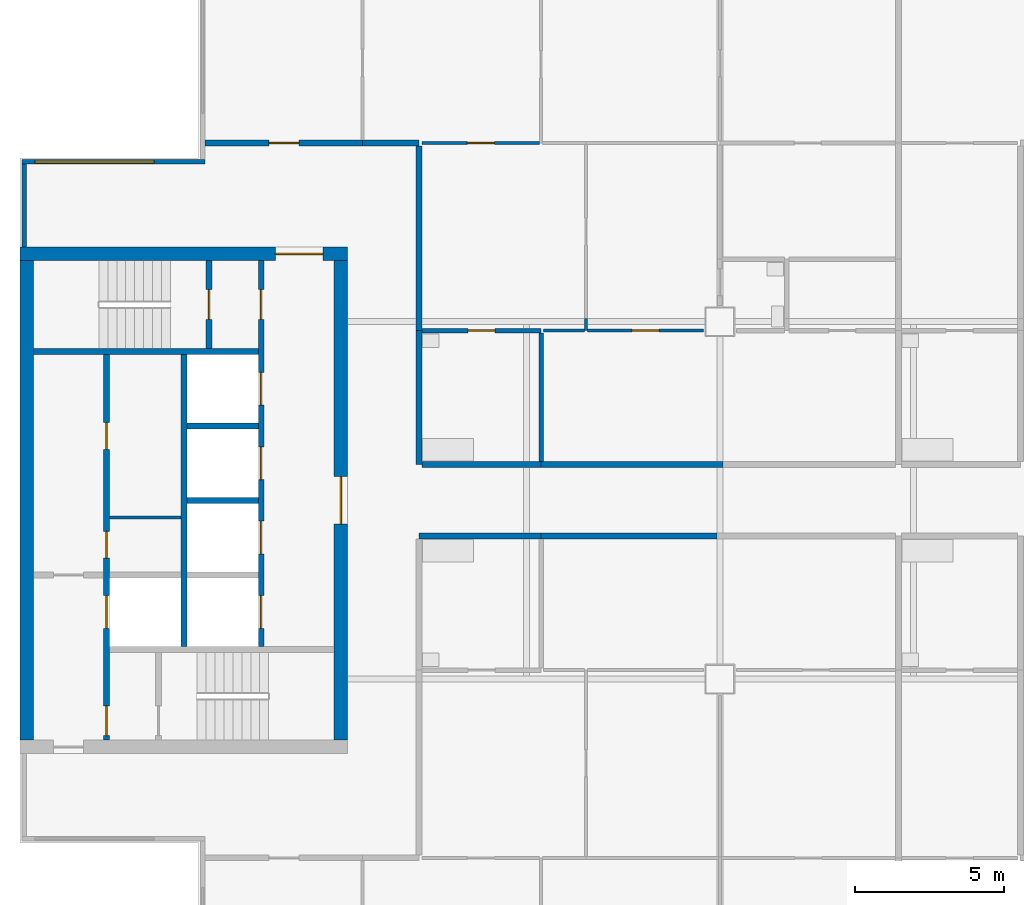
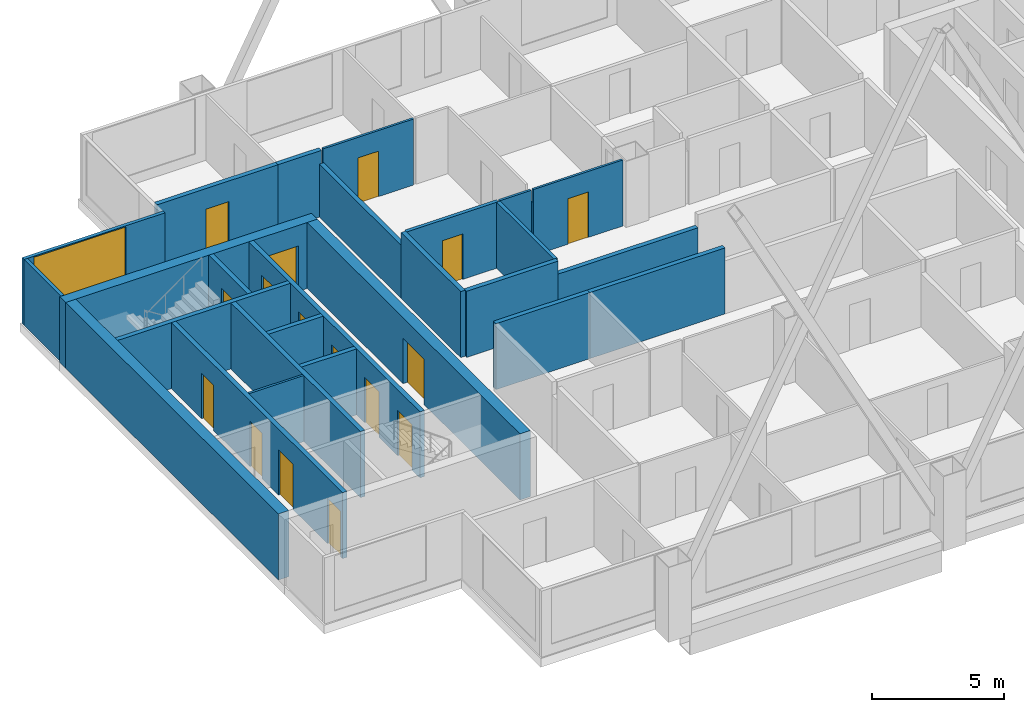
# One storey, part 3 of 8: 27 walls, 16 doors, 1 window, 17 openings.
"""IFC4 building model written with IfcOpenShell, lengths in metres."""

from ifc_helpers import new_model, si_unit, direction, frame, frame_2d, origin, place, context, subcontext, project, spatial, rectangle, extrude, material, layer, layer_set, type_object, element, fill, save


model = new_model("IFC4")

# Units and contexts
model_context = context("Model", 3, precision=1e-05, world=origin(), true_north=direction((0.0, 1.0)))
body_context = subcontext(model_context, "Body", "Model", "MODEL_VIEW")
ifc_project = project(units=[si_unit("LENGTHUNIT", "METRE"), si_unit("AREAUNIT", "SQUARE_METRE"), si_unit("VOLUMEUNIT", "CUBIC_METRE"), si_unit("PLANEANGLEUNIT", "RADIAN"), si_unit("MASSUNIT", "GRAM", prefix="KILO")], contexts=[model_context])

# Site, building, storey
site_placement = place(None, origin())
site = spatial("IfcSite", under=ifc_project, at=site_placement, CompositionType="ELEMENT")
building_placement = place(site_placement, origin())
building = spatial("IfcBuilding", under=site, at=building_placement, Name="Kitamizu Gate Tower and Museum", CompositionType="ELEMENT")
storey_placement = place(building_placement, frame((0.0, 0.0, 259.35009765625)))
storey = spatial("IfcBuildingStorey", under=building, at=storey_placement, Name="L70", CompositionType="ELEMENT", Elevation=259.35009765625)

# Wall, opening, door
ifc_material_1 = material(Name="Concrete Fc42", Category="concrete")
ifc_layer_1 = layer(ifc_material_1, 0.449951171875)
ifc_layer_set_1 = layer_set([ifc_layer_1], Name="Concrete Fc42")
wall_type_1 = type_object("IfcWallType", Name="Core wall 450 EI 90", PredefinedType="SHEAR", material=ifc_layer_set_1)
wall_1_placement = place(storey_placement, frame((12.5, 38.27490234375, 0.0), z_axis=(0.0, 0.0, 1.0), x_axis=(1.0, 0.0, 0.0)))
wall_1 = element("IfcWall", 1, at=wall_1_placement, inside=storey, type_object=wall_type_1, Name="Core wall WN", PredefinedType="SHEAR", context=body_context, shape_type="SweptSolid", body=[
    extrude(rectangle(XDim=11.0, YDim=0.449951171875, at=frame_2d((5.5, 0.0))), origin(), (0.0, 0.0, 1.0), 3.0498046875),
])
opening_1_placement = place(wall_1_placement, frame((8.574951171875, 0.0, 0.0)))
opening_1 = element("IfcOpeningElement", 2, at=opening_1_placement, cuts=wall_1, Name="Opening L70-035", PredefinedType="OPENING", context=body_context, shape_type="SweptSolid", body=[
    extrude(rectangle(XDim=1.60009765625, YDim=2.10009765625, at=frame_2d((0.800048828125, 1.050048828125))), frame((0.0, 0.23486328125, 0.0), z_axis=(0.0, -1.0, 0.0), x_axis=(1.0, 0.0, 0.0)), (0.0, 0.0, 1.0), 0.469970703125),
])
ifc_material_2 = material(Name="Timber door set", Category="wood")
door_type_1 = type_object("IfcDoorType", Name="Entrance door 1600", OperationType="DOUBLE_DOOR_SINGLE_SWING", PredefinedType="DOOR", material=ifc_material_2)
door_1_placement = place(opening_1_placement, origin())
door_1 = element("IfcDoor", 3, at=door_1_placement, inside=storey, type_object=door_type_1, Name="Lobby door L70-035", OperationType="DOUBLE_DOOR_SINGLE_SWING", OverallHeight=2.10009765625, OverallWidth=1.60009765625, PredefinedType="DOOR", context=body_context, shape_type="SweptSolid", body=[
    extrude(rectangle(XDim=1.60009765625, YDim=2.10009765625, at=frame_2d((0.800048828125, 1.050048828125))), frame((0.0, 0.02490234375, 0.0), z_axis=(0.0, -1.0, 0.0), x_axis=(1.0, 0.0, 0.0)), (0.0, 0.0, 1.0), 0.050048828125),
])
fill(opening_1, door_1)

# Wall
wall_2_placement = place(storey_placement, frame((12.72509765625, 21.949951171875, 0.0), z_axis=(0.0, 0.0, 1.0), x_axis=(0.0, 1.0, 0.0)))
element("IfcWall", 4, at=wall_2_placement, inside=storey, type_object=wall_type_1, Name="Core wall WOUT", PredefinedType="SHEAR", context=body_context, shape_type="SweptSolid", body=[
    extrude(rectangle(XDim=16.10009765625, YDim=0.449951171875, at=frame_2d((8.050048828125, 0.0))), origin(), (0.0, 0.0, 1.0), 3.0498046875),
])

# Wall, opening, door
wall_3_placement = place(storey_placement, frame((23.27490234375, 21.949951171875, 0.0), z_axis=(0.0, 0.0, 1.0), x_axis=(0.0, 1.0, 0.0)))
wall_3 = element("IfcWall", 5, at=wall_3_placement, inside=storey, type_object=wall_type_1, Name="Core wall WARC", PredefinedType="SHEAR", context=body_context, shape_type="SweptSolid", body=[
    extrude(rectangle(XDim=16.10009765625, YDim=0.449951171875, at=frame_2d((8.050048828125, 0.0))), origin(), (0.0, 0.0, 1.0), 3.0498046875),
])
opening_2_placement = place(wall_3_placement, frame((7.25, 0.0, 0.0)))
opening_2 = element("IfcOpeningElement", 6, at=opening_2_placement, cuts=wall_3, Name="Opening L70-036", PredefinedType="OPENING", context=body_context, shape_type="SweptSolid", body=[
    extrude(rectangle(XDim=1.60009765625, YDim=2.10009765625, at=frame_2d((0.800048828125, 1.050048828125))), frame((0.0, 0.23486328125, 0.0), z_axis=(0.0, -1.0, 0.0), x_axis=(1.0, 0.0, 0.0)), (0.0, 0.0, 1.0), 0.469970703125),
])
door_2_placement = place(opening_2_placement, origin())
door_2 = element("IfcDoor", 7, at=door_2_placement, inside=storey, type_object=door_type_1, Name="Lobby door L70-036", OperationType="DOUBLE_DOOR_SINGLE_SWING", OverallHeight=2.10009765625, OverallWidth=1.60009765625, PredefinedType="DOOR", context=body_context, shape_type="SweptSolid", body=[
    extrude(rectangle(XDim=1.60009765625, YDim=2.10009765625, at=frame_2d((0.800048828125, 1.050048828125))), frame((0.0, 0.02490234375, 0.0), z_axis=(0.0, -1.0, 0.0), x_axis=(1.0, 0.0, 0.0)), (0.0, 0.0, 1.0), 0.050048828125),
])
fill(opening_2, door_2)

# Wall
ifc_material_3 = material(Name="Gypsum board on galvanised stud")
ifc_layer_2 = layer(ifc_material_3, 0.10009765625)
ifc_layer_set_2 = layer_set([ifc_layer_2], Name="Gypsum board on galvanised stud")
wall_type_2 = type_object("IfcWallType", Name="Partition 100", PredefinedType="PARTITIONING", material=ifc_layer_set_2)
wall_4_placement = place(storey_placement, frame((15.5, 29.425048828125, 0.0), z_axis=(0.0, 0.0, 1.0), x_axis=(1.0, 0.0, 0.0)))
element("IfcWall", 8, at=wall_4_placement, inside=storey, type_object=wall_type_2, Name="Partition WPF1", PredefinedType="PARTITIONING", context=body_context, shape_type="SweptSolid", body=[
    extrude(rectangle(XDim=2.39990234375, YDim=0.10009765625, at=frame_2d((1.199951171875, 0.0))), origin(), (0.0, 0.0, 1.0), 3.0498046875),
])

# Wall, opening, door
ifc_material_4 = material(Name="Gypsum board on galvanised stud")
ifc_layer_3 = layer(ifc_material_4, 0.10009765625)
ifc_layer_set_3 = layer_set([ifc_layer_3], Name="Gypsum board on galvanised stud")
wall_type_3 = type_object("IfcWallType", Name="Partition 100 NOT RATED", PredefinedType="PARTITIONING", material=ifc_layer_set_3)
wall_5_placement = place(storey_placement, frame((26.0, 42.0, 0.0), z_axis=(0.0, 0.0, 1.0), x_axis=(1.0, 0.0, 0.0)))
wall_5 = element("IfcWall", 9, at=wall_5_placement, inside=storey, type_object=wall_type_3, Name="Partition L70-029", PredefinedType="PARTITIONING", context=body_context, shape_type="SweptSolid", body=[
    extrude(rectangle(XDim=3.949951171875, YDim=0.10009765625, at=frame_2d((1.97509765625, 0.0))), origin(), (0.0, 0.0, 1.0), 3.0498046875),
])
opening_3_placement = place(wall_5_placement, frame((1.52490234375, 0.0, 0.0)))
opening_3 = element("IfcOpeningElement", 10, at=opening_3_placement, cuts=wall_5, Name="Opening L70-014", PredefinedType="OPENING", context=body_context, shape_type="SweptSolid", body=[
    extrude(rectangle(XDim=0.89990234375, YDim=2.10009765625, at=frame_2d((0.449951171875, 1.050048828125))), frame((0.0, 0.06005859375, 0.0), z_axis=(0.0, -1.0, 0.0), x_axis=(1.0, 0.0, 0.0)), (0.0, 0.0, 1.0), 0.1201171875),
])
ifc_material_5 = material(Name="Timber door set", Category="wood")
door_type_2 = type_object("IfcDoorType", Name="Room door 900", OperationType="NOTDEFINED", PredefinedType="DOOR", material=ifc_material_5)
door_3_placement = place(opening_3_placement, origin())
door_3 = element("IfcDoor", 11, at=door_3_placement, inside=storey, type_object=door_type_2, Name="Door L70-014", OperationType="SINGLE_SWING_LEFT", OverallHeight=2.10009765625, OverallWidth=0.89990234375, PredefinedType="DOOR", context=body_context, shape_type="SweptSolid", body=[
    extrude(rectangle(XDim=0.89990234375, YDim=2.10009765625, at=frame_2d((0.449951171875, 1.050048828125))), frame((0.0, 0.02490234375, 0.0), z_axis=(0.0, -1.0, 0.0), x_axis=(1.0, 0.0, 0.0)), (0.0, 0.0, 1.0), 0.050048828125),
])
fill(opening_3, door_3)

# Walls
wall_6_placement = place(storey_placement, frame((31.5, 35.699951171875, 0.0), z_axis=(0.0, 0.0, 1.0), x_axis=(0.0, 1.0, 0.0)))
element("IfcWall", 12, at=wall_6_placement, inside=storey, type_object=wall_type_3, Name="Partition L70-036", PredefinedType="PARTITIONING", context=body_context, shape_type="SweptSolid", body=[
    extrude(rectangle(XDim=0.400146484375, YDim=0.10009765625, at=frame_2d((0.2001953125, 0.0))), origin(), (0.0, 0.0, 1.0), 2.449951171875),
])
wall_7_placement = place(storey_placement, frame((30.074951171875, 35.699951171875, 0.0), z_axis=(0.0, 0.0, 1.0), x_axis=(1.0, 0.0, 0.0)))
element("IfcWall", 13, at=wall_7_placement, inside=storey, type_object=wall_type_3, Name="Partition L70-039", PredefinedType="PARTITIONING", context=body_context, shape_type="SweptSolid", body=[
    extrude(rectangle(XDim=1.375, YDim=0.10009765625, at=frame_2d((0.6875, 0.0))), origin(), (0.0, 0.0, 1.0), 3.0498046875),
])

# Wall, opening, door
wall_8_placement = place(storey_placement, frame((31.550048828125, 35.699951171875, 0.0), z_axis=(0.0, 0.0, 1.0), x_axis=(1.0, 0.0, 0.0)))
wall_8 = element("IfcWall", 14, at=wall_8_placement, inside=storey, type_object=wall_type_3, Name="Partition L70-043", PredefinedType="PARTITIONING", context=body_context, shape_type="SweptSolid", body=[
    extrude(rectangle(XDim=3.89990234375, YDim=0.10009765625, at=frame_2d((1.949951171875, 0.0))), origin(), (0.0, 0.0, 1.0), 3.0498046875),
])
opening_4_placement = place(wall_8_placement, frame((1.5, 0.0, 0.0)))
opening_4 = element("IfcOpeningElement", 15, at=opening_4_placement, cuts=wall_8, Name="Opening L70-019", PredefinedType="OPENING", context=body_context, shape_type="SweptSolid", body=[
    extrude(rectangle(XDim=0.89990234375, YDim=2.10009765625, at=frame_2d((0.449951171875, 1.050048828125))), frame((0.0, 0.06005859375, 0.0), z_axis=(0.0, -1.0, 0.0), x_axis=(1.0, 0.0, 0.0)), (0.0, 0.0, 1.0), 0.1201171875),
])
door_4_placement = place(opening_4_placement, origin())
door_4 = element("IfcDoor", 16, at=door_4_placement, inside=storey, type_object=door_type_2, Name="Door L70-019", OperationType="SINGLE_SWING_RIGHT", OverallHeight=2.10009765625, OverallWidth=0.89990234375, PredefinedType="DOOR", context=body_context, shape_type="SweptSolid", body=[
    extrude(rectangle(XDim=0.89990234375, YDim=2.10009765625, at=frame_2d((0.449951171875, 1.050048828125))), frame((0.0, 0.02490234375, 0.0), z_axis=(0.0, -1.0, 0.0), x_axis=(1.0, 0.0, 0.0)), (0.0, 0.0, 1.0), 0.050048828125),
])
fill(opening_4, door_4)

ifc_material_6 = material(Name="Gypsum board on galvanised stud")
ifc_layer_4 = layer(ifc_material_6, 0.14990234375)
ifc_layer_set_4 = layer_set([ifc_layer_4], Name="Gypsum board on galvanised stud")
wall_type_4 = type_object("IfcWallType", Name="Partition 150", PredefinedType="PARTITIONING", material=ifc_layer_set_4)
wall_9_placement = place(storey_placement, frame((26.0, 35.699951171875, 0.0), z_axis=(0.0, 0.0, 1.0), x_axis=(1.0, 0.0, 0.0)))
wall_9 = element("IfcWall", 17, at=wall_9_placement, inside=storey, type_object=wall_type_4, Name="Partition L70-038", PredefinedType="PARTITIONING", context=body_context, shape_type="SweptSolid", body=[
    extrude(rectangle(XDim=4.0, YDim=0.14990234375, at=frame_2d((2.0, 0.0))), origin(), (0.0, 0.0, 1.0), 3.0498046875),
])
opening_5_placement = place(wall_9_placement, frame((1.550048828125, 0.0, 0.0)))
opening_5 = element("IfcOpeningElement", 18, at=opening_5_placement, cuts=wall_9, Name="Opening L70-018", PredefinedType="OPENING", context=body_context, shape_type="SweptSolid", body=[
    extrude(rectangle(XDim=0.89990234375, YDim=2.10009765625, at=frame_2d((0.449951171875, 1.050048828125))), frame((0.0, 0.0849609375, 0.0), z_axis=(0.0, -1.0, 0.0), x_axis=(1.0, 0.0, 0.0)), (0.0, 0.0, 1.0), 0.169921875),
])
ifc_material_7 = material(Name="Timber door set", Category="wood")
door_type_3 = type_object("IfcDoorType", Name="Bathroom door 900", OperationType="NOTDEFINED", PredefinedType="DOOR", material=ifc_material_7)
door_5_placement = place(opening_5_placement, frame((0.89990234375, 0.0, 0.0), x_axis=(-1.0, 0.0, 0.0)))
door_5 = element("IfcDoor", 19, at=door_5_placement, inside=storey, type_object=door_type_3, Name="Bathroom door L70-018", OperationType="SINGLE_SWING_RIGHT", OverallHeight=2.10009765625, OverallWidth=0.89990234375, PredefinedType="DOOR", context=body_context, shape_type="SweptSolid", body=[
    extrude(rectangle(XDim=0.89990234375, YDim=2.10009765625, at=frame_2d((0.449951171875, 1.050048828125))), frame((0.0, 0.02490234375, 0.0), z_axis=(0.0, -1.0, 0.0), x_axis=(1.0, 0.0, 0.0)), (0.0, 0.0, 1.0), 0.050048828125),
])
fill(opening_5, door_5)

# Walls
wall_10_placement = place(storey_placement, frame((30.0, 31.300048828125, 0.0), z_axis=(0.0, 0.0, 1.0), x_axis=(0.0, 1.0, 0.0)))
element("IfcWall", 20, at=wall_10_placement, inside=storey, type_object=wall_type_4, Name="Partition L70-053", PredefinedType="PARTITIONING", context=body_context, shape_type="SweptSolid", body=[
    extrude(rectangle(XDim=4.324951171875, YDim=0.14990234375, at=frame_2d((2.16259765625, 0.0))), origin(), (0.0, 0.0, 1.0), 3.0498046875),
])
ifc_material_8 = material(Name="Gypsum board on galvanised stud")
ifc_layer_5 = layer(ifc_material_8, 0.199951171875)
ifc_layer_set_5 = layer_set([ifc_layer_5], Name="Gypsum board on galvanised stud")
wall_type_5 = type_object("IfcWallType", Name="Partition 200", PredefinedType="PARTITIONING", material=ifc_layer_set_5)
wall_11_placement = place(storey_placement, frame((30.0, 28.800048828125, 0.0), z_axis=(0.0, 0.0, 1.0), x_axis=(-1.0, 0.0, 0.0)))
element("IfcWall", 21, at=wall_11_placement, inside=storey, type_object=wall_type_5, Name="Partition L70-021", PredefinedType="PARTITIONING", context=body_context, shape_type="SweptSolid", body=[
    extrude(rectangle(XDim=4.10009765625, YDim=0.199951171875, at=frame_2d((2.050048828125, 0.0))), origin(), (0.0, 0.0, 1.0), 3.0498046875),
])
wall_12_placement = place(storey_placement, frame((35.89990234375, 28.800048828125, 0.0), z_axis=(0.0, 0.0, 1.0), x_axis=(-1.0, 0.0, 0.0)))
element("IfcWall", 22, at=wall_12_placement, inside=storey, type_object=wall_type_5, Name="Partition L70-025", PredefinedType="PARTITIONING", context=body_context, shape_type="SweptSolid", body=[
    extrude(rectangle(XDim=5.89990234375, YDim=0.199951171875, at=frame_2d((2.949951171875, 0.0))), origin(), (0.0, 0.0, 1.0), 3.0498046875),
])

# Wall, opening, door
wall_13_placement = place(storey_placement, frame((18.719970703125, 42.0, 0.0), z_axis=(0.0, 0.0, 1.0), x_axis=(1.0, 0.0, 0.0)))
wall_13 = element("IfcWall", 23, at=wall_13_placement, inside=storey, type_object=wall_type_5, Name="Partition L70-027", PredefinedType="PARTITIONING", context=body_context, shape_type="SweptSolid", body=[
    extrude(rectangle(XDim=5.280029296875, YDim=0.199951171875, at=frame_2d((2.64013671875, 0.0))), origin(), (0.0, 0.0, 1.0), 3.0498046875),
])
opening_6_placement = place(wall_13_placement, frame((2.139892578125, 0.0, 0.0)))
opening_6 = element("IfcOpeningElement", 24, at=opening_6_placement, cuts=wall_13, Name="Opening L70-010", PredefinedType="OPENING", context=body_context, shape_type="SweptSolid", body=[
    extrude(rectangle(XDim=1.0, YDim=2.10009765625, at=frame_2d((0.5, 1.050048828125))), frame((0.0, 0.10986328125, 0.0), z_axis=(0.0, -1.0, 0.0), x_axis=(1.0, 0.0, 0.0)), (0.0, 0.0, 1.0), 0.219970703125),
])
ifc_material_9 = material(Name="Timber door set", Category="wood")
door_type_4 = type_object("IfcDoorType", Name="Flat entrance door 1000", OperationType="NOTDEFINED", PredefinedType="DOOR", material=ifc_material_9)
door_6_placement = place(opening_6_placement, origin())
door_6 = element("IfcDoor", 25, at=door_6_placement, inside=storey, type_object=door_type_4, Name="Flat entrance door L70-010", OperationType="SINGLE_SWING_LEFT", OverallHeight=2.10009765625, OverallWidth=1.0, PredefinedType="DOOR", context=body_context, shape_type="SweptSolid", body=[
    extrude(rectangle(XDim=1.0, YDim=2.10009765625, at=frame_2d((0.5, 1.050048828125))), frame((0.0, 0.02490234375, 0.0), z_axis=(0.0, -1.0, 0.0), x_axis=(1.0, 0.0, 0.0)), (0.0, 0.0, 1.0), 0.050048828125),
])
fill(opening_6, door_6)

# Walls
wall_14_placement = place(storey_placement, frame((24.0, 42.0, 0.0), z_axis=(0.0, 0.0, 1.0), x_axis=(1.0, 0.0, 0.0)))
element("IfcWall", 26, at=wall_14_placement, inside=storey, type_object=wall_type_5, Name="Partition L70-030", PredefinedType="PARTITIONING", context=body_context, shape_type="SweptSolid", body=[
    extrude(rectangle(XDim=1.89990234375, YDim=0.199951171875, at=frame_2d((0.949951171875, 0.0))), origin(), (0.0, 0.0, 1.0), 3.0498046875),
])
wall_15_placement = place(storey_placement, frame((25.89990234375, 41.89990234375, 0.0), z_axis=(0.0, 0.0, 1.0), x_axis=(0.0, -1.0, 0.0)))
element("IfcWall", 27, at=wall_15_placement, inside=storey, type_object=wall_type_5, Name="Partition L70-040", PredefinedType="PARTITIONING", context=body_context, shape_type="SweptSolid", body=[
    extrude(rectangle(XDim=6.199951171875, YDim=0.199951171875, at=frame_2d((3.10009765625, 0.0))), origin(), (0.0, 0.0, 1.0), 2.449951171875),
])
wall_16_placement = place(storey_placement, frame((25.89990234375, 35.699951171875, 0.0), z_axis=(0.0, 0.0, 1.0), x_axis=(0.0, -1.0, 0.0)))
element("IfcWall", 28, at=wall_16_placement, inside=storey, type_object=wall_type_5, Name="Partition L70-054", PredefinedType="PARTITIONING", context=body_context, shape_type="SweptSolid", body=[
    extrude(rectangle(XDim=4.5, YDim=0.199951171875, at=frame_2d((2.25, 0.0))), origin(), (0.0, 0.0, 1.0), 3.0498046875),
])
wall_17_placement = place(storey_placement, frame((26.0, 31.199951171875, 0.0), z_axis=(0.0, 0.0, 1.0), x_axis=(1.0, 0.0, 0.0)))
element("IfcWall", 29, at=wall_17_placement, inside=storey, type_object=wall_type_5, Name="Partition L70-055", PredefinedType="PARTITIONING", context=body_context, shape_type="SweptSolid", body=[
    extrude(rectangle(XDim=4.0, YDim=0.199951171875, at=frame_2d((2.0, 0.0))), origin(), (0.0, 0.0, 1.0), 3.0498046875),
])
wall_18_placement = place(storey_placement, frame((30.0, 31.199951171875, 0.0), z_axis=(0.0, 0.0, 1.0), x_axis=(1.0, 0.0, 0.0)))
element("IfcWall", 30, at=wall_18_placement, inside=storey, type_object=wall_type_5, Name="Partition L70-057", PredefinedType="PARTITIONING", context=body_context, shape_type="SweptSolid", body=[
    extrude(rectangle(XDim=6.10009765625, YDim=0.199951171875, at=frame_2d((3.050048828125, 0.0))), origin(), (0.0, 0.0, 1.0), 2.449951171875),
])

# Wall, openings, doors
ifc_material_10 = material(Name="Concrete Fc42", Category="concrete")
ifc_layer_6 = layer(ifc_material_10, 0.199951171875)
ifc_layer_set_6 = layer_set([ifc_layer_6], Name="Concrete Fc42")
wall_type_6 = type_object("IfcWallType", Name="Shaft wall 200", PredefinedType="SOLIDWALL", material=ifc_layer_set_6)
wall_19_placement = place(storey_placement, frame((15.39990234375, 21.949951171875, 0.0), z_axis=(0.0, 0.0, 1.0), x_axis=(0.0, 1.0, 0.0)))
wall_19 = element("IfcWall", 31, at=wall_19_placement, inside=storey, type_object=wall_type_6, Name="Shaft wall WWEST", PredefinedType="SOLIDWALL", context=body_context, shape_type="SweptSolid", body=[
    extrude(rectangle(XDim=12.949951171875, YDim=0.199951171875, at=frame_2d((6.47509765625, 0.0))), origin(), (0.0, 0.0, 1.0), 3.0498046875),
])
opening_7_placement = place(wall_19_placement, frame((3.75, 0.0, 0.0)))
opening_7 = element("IfcOpeningElement", 32, at=opening_7_placement, cuts=wall_19, Name="Opening LD", PredefinedType="OPENING", context=body_context, shape_type="SweptSolid", body=[
    extrude(rectangle(XDim=1.10009765625, YDim=2.10009765625, at=frame_2d((0.550048828125, 1.050048828125))), frame((0.0, 0.10986328125, 0.0), z_axis=(0.0, -1.0, 0.0), x_axis=(1.0, 0.0, 0.0)), (0.0, 0.0, 1.0), 0.219970703125),
])
opening_8_placement = place(wall_19_placement, frame((0.14990234375, 0.0, 0.0)))
opening_8 = element("IfcOpeningElement", 33, at=opening_8_placement, cuts=wall_19, Name="Opening L70-030", PredefinedType="OPENING", context=body_context, shape_type="SweptSolid", body=[
    extrude(rectangle(XDim=1.0, YDim=2.10009765625, at=frame_2d((0.5, 1.050048828125))), frame((0.0, 0.10986328125, 0.0), z_axis=(0.0, -1.0, 0.0), x_axis=(1.0, 0.0, 0.0)), (0.0, 0.0, 1.0), 0.219970703125),
])
opening_9_placement = place(wall_19_placement, frame((6.112548828125, 0.0, 0.0)))
opening_9 = element("IfcOpeningElement", 34, at=opening_9_placement, cuts=wall_19, Name="Opening L70-037", PredefinedType="OPENING", context=body_context, shape_type="SweptSolid", body=[
    extrude(rectangle(XDim=0.89990234375, YDim=2.10009765625, at=frame_2d((0.449951171875, 1.050048828125))), frame((0.0, 0.10986328125, 0.0), z_axis=(0.0, -1.0, 0.0), x_axis=(1.0, 0.0, 0.0)), (0.0, 0.0, 1.0), 0.219970703125),
])
opening_10_placement = place(wall_19_placement, frame((9.762451171875, 0.0, 0.0)))
opening_10 = element("IfcOpeningElement", 35, at=opening_10_placement, cuts=wall_19, Name="Opening L70-038", PredefinedType="OPENING", context=body_context, shape_type="SweptSolid", body=[
    extrude(rectangle(XDim=0.89990234375, YDim=2.10009765625, at=frame_2d((0.449951171875, 1.050048828125))), frame((0.0, 0.10986328125, 0.0), z_axis=(0.0, -1.0, 0.0), x_axis=(1.0, 0.0, 0.0)), (0.0, 0.0, 1.0), 0.219970703125),
])
ifc_material_11 = material(Name="Hollow metal door set")
door_type_5 = type_object("IfcDoorType", Name="Fire door 1000", OperationType="NOTDEFINED", PredefinedType="DOOR", material=ifc_material_11)
door_7_placement = place(opening_8_placement, frame((1.0, 0.0, 0.0), x_axis=(-1.0, 0.0, 0.0)))
door_7 = element("IfcDoor", 36, at=door_7_placement, inside=storey, type_object=door_type_5, Name="Stair lobby door L70-030", OperationType="SINGLE_SWING_LEFT", OverallHeight=2.10009765625, OverallWidth=1.0, PredefinedType="DOOR", context=body_context, shape_type="SweptSolid", body=[
    extrude(rectangle(XDim=1.0, YDim=2.10009765625, at=frame_2d((0.5, 1.050048828125))), frame((0.0, 0.02490234375, 0.0), z_axis=(0.0, -1.0, 0.0), x_axis=(1.0, 0.0, 0.0)), (0.0, 0.0, 1.0), 0.050048828125),
])
fill(opening_8, door_7)
ifc_material_12 = material(Name="Hollow metal door set")
door_type_6 = type_object("IfcDoorType", Name="Landing door 1100", OperationType="SLIDING_TO_LEFT", PredefinedType="DOOR", material=ifc_material_12)
door_8_placement = place(opening_7_placement, origin())
door_8 = element("IfcDoor", 37, at=door_8_placement, inside=storey, type_object=door_type_6, Name="Landing door WFF1", OperationType="SLIDING_TO_LEFT", OverallHeight=2.10009765625, OverallWidth=1.10009765625, PredefinedType="DOOR", context=body_context, shape_type="SweptSolid", body=[
    extrude(rectangle(XDim=1.10009765625, YDim=2.10009765625, at=frame_2d((0.550048828125, 1.050048828125))), frame((0.0, 0.02490234375, 0.0), z_axis=(0.0, -1.0, 0.0), x_axis=(1.0, 0.0, 0.0)), (0.0, 0.0, 1.0), 0.050048828125),
])
fill(opening_7, door_8)
ifc_material_13 = material(Name="Timber door set", Category="wood")
door_type_7 = type_object("IfcDoorType", Name="Service door 900", OperationType="NOTDEFINED", PredefinedType="DOOR", material=ifc_material_13)
door_9_placement = place(opening_9_placement, frame((0.89990234375, 0.0, 0.0), x_axis=(-1.0, 0.0, 0.0)))
door_9 = element("IfcDoor", 38, at=door_9_placement, inside=storey, type_object=door_type_7, Name="Service door L70-037", OperationType="SINGLE_SWING_LEFT", OverallHeight=2.10009765625, OverallWidth=0.89990234375, PredefinedType="DOOR", context=body_context, shape_type="SweptSolid", body=[
    extrude(rectangle(XDim=0.89990234375, YDim=2.10009765625, at=frame_2d((0.449951171875, 1.050048828125))), frame((0.0, 0.02490234375, 0.0), z_axis=(0.0, -1.0, 0.0), x_axis=(1.0, 0.0, 0.0)), (0.0, 0.0, 1.0), 0.050048828125),
])
fill(opening_9, door_9)
door_10_placement = place(opening_10_placement, frame((0.89990234375, 0.0, 0.0), x_axis=(-1.0, 0.0, 0.0)))
door_10 = element("IfcDoor", 39, at=door_10_placement, inside=storey, type_object=door_type_7, Name="Service door L70-038", OperationType="SINGLE_SWING_RIGHT", OverallHeight=2.10009765625, OverallWidth=0.89990234375, PredefinedType="DOOR", context=body_context, shape_type="SweptSolid", body=[
    extrude(rectangle(XDim=0.89990234375, YDim=2.10009765625, at=frame_2d((0.449951171875, 1.050048828125))), frame((0.0, 0.02490234375, 0.0), z_axis=(0.0, -1.0, 0.0), x_axis=(1.0, 0.0, 0.0)), (0.0, 0.0, 1.0), 0.050048828125),
])
fill(opening_10, door_10)

wall_20_placement = place(storey_placement, frame((20.60009765625, 25.10009765625, 0.0), z_axis=(0.0, 0.0, 1.0), x_axis=(0.0, 1.0, 0.0)))
wall_20 = element("IfcWall", 40, at=wall_20_placement, inside=storey, type_object=wall_type_6, Name="Shaft wall WEAST", PredefinedType="SOLIDWALL", context=body_context, shape_type="SweptSolid", body=[
    extrude(rectangle(XDim=12.949951171875, YDim=0.199951171875, at=frame_2d((6.47509765625, 0.0))), origin(), (0.0, 0.0, 1.0), 3.0498046875),
])
opening_11_placement = place(wall_20_placement, frame((0.60009765625, 0.0, 0.0)))
opening_11 = element("IfcOpeningElement", 41, at=opening_11_placement, cuts=wall_20, Name="Opening LD", PredefinedType="OPENING", context=body_context, shape_type="SweptSolid", body=[
    extrude(rectangle(XDim=1.10009765625, YDim=2.10009765625, at=frame_2d((0.550048828125, 1.050048828125))), frame((0.0, 0.10986328125, 0.0), z_axis=(0.0, -1.0, 0.0), x_axis=(1.0, 0.0, 0.0)), (0.0, 0.0, 1.0), 0.219970703125),
])
opening_12_placement = place(wall_20_placement, frame((3.10009765625, 0.0, 0.0)))
opening_12 = element("IfcOpeningElement", 42, at=opening_12_placement, cuts=wall_20, Name="Opening LD", PredefinedType="OPENING", context=body_context, shape_type="SweptSolid", body=[
    extrude(rectangle(XDim=1.10009765625, YDim=2.10009765625, at=frame_2d((0.550048828125, 1.050048828125))), frame((0.0, 0.10986328125, 0.0), z_axis=(0.0, -1.0, 0.0), x_axis=(1.0, 0.0, 0.0)), (0.0, 0.0, 1.0), 0.219970703125),
])
opening_13_placement = place(wall_20_placement, frame((5.60009765625, 0.0, 0.0)))
opening_13 = element("IfcOpeningElement", 43, at=opening_13_placement, cuts=wall_20, Name="Opening LD", PredefinedType="OPENING", context=body_context, shape_type="SweptSolid", body=[
    extrude(rectangle(XDim=1.10009765625, YDim=2.10009765625, at=frame_2d((0.550048828125, 1.050048828125))), frame((0.0, 0.10986328125, 0.0), z_axis=(0.0, -1.0, 0.0), x_axis=(1.0, 0.0, 0.0)), (0.0, 0.0, 1.0), 0.219970703125),
])
opening_14_placement = place(wall_20_placement, frame((8.10009765625, 0.0, 0.0)))
opening_14 = element("IfcOpeningElement", 44, at=opening_14_placement, cuts=wall_20, Name="Opening LD", PredefinedType="OPENING", context=body_context, shape_type="SweptSolid", body=[
    extrude(rectangle(XDim=1.10009765625, YDim=2.10009765625, at=frame_2d((0.550048828125, 1.050048828125))), frame((0.0, 0.10986328125, 0.0), z_axis=(0.0, -1.0, 0.0), x_axis=(1.0, 0.0, 0.0)), (0.0, 0.0, 1.0), 0.219970703125),
])
opening_15_placement = place(wall_20_placement, frame((10.97509765625, 0.0, 0.0)))
opening_15 = element("IfcOpeningElement", 45, at=opening_15_placement, cuts=wall_20, Name="Opening L70-031", PredefinedType="OPENING", context=body_context, shape_type="SweptSolid", body=[
    extrude(rectangle(XDim=1.0, YDim=2.10009765625, at=frame_2d((0.5, 1.050048828125))), frame((0.0, 0.10986328125, 0.0), z_axis=(0.0, -1.0, 0.0), x_axis=(1.0, 0.0, 0.0)), (0.0, 0.0, 1.0), 0.219970703125),
])
door_11_placement = place(opening_15_placement, origin())
door_11 = element("IfcDoor", 46, at=door_11_placement, inside=storey, type_object=door_type_5, Name="Stair lobby door L70-031", OperationType="SINGLE_SWING_RIGHT", OverallHeight=2.10009765625, OverallWidth=1.0, PredefinedType="DOOR", context=body_context, shape_type="SweptSolid", body=[
    extrude(rectangle(XDim=1.0, YDim=2.10009765625, at=frame_2d((0.5, 1.050048828125))), frame((0.0, 0.02490234375, 0.0), z_axis=(0.0, -1.0, 0.0), x_axis=(1.0, 0.0, 0.0)), (0.0, 0.0, 1.0), 0.050048828125),
])
fill(opening_15, door_11)
door_12_placement = place(opening_11_placement, origin())
door_12 = element("IfcDoor", 47, at=door_12_placement, inside=storey, type_object=door_type_6, Name="Landing door WSV1", OperationType="SLIDING_TO_LEFT", OverallHeight=2.10009765625, OverallWidth=1.10009765625, PredefinedType="DOOR", context=body_context, shape_type="SweptSolid", body=[
    extrude(rectangle(XDim=1.10009765625, YDim=2.10009765625, at=frame_2d((0.550048828125, 1.050048828125))), frame((0.0, 0.02490234375, 0.0), z_axis=(0.0, -1.0, 0.0), x_axis=(1.0, 0.0, 0.0)), (0.0, 0.0, 1.0), 0.050048828125),
])
fill(opening_11, door_12)
door_13_placement = place(opening_12_placement, origin())
door_13 = element("IfcDoor", 48, at=door_13_placement, inside=storey, type_object=door_type_6, Name="Landing door WH1", OperationType="SLIDING_TO_LEFT", OverallHeight=2.10009765625, OverallWidth=1.10009765625, PredefinedType="DOOR", context=body_context, shape_type="SweptSolid", body=[
    extrude(rectangle(XDim=1.10009765625, YDim=2.10009765625, at=frame_2d((0.550048828125, 1.050048828125))), frame((0.0, 0.02490234375, 0.0), z_axis=(0.0, -1.0, 0.0), x_axis=(1.0, 0.0, 0.0)), (0.0, 0.0, 1.0), 0.050048828125),
])
fill(opening_12, door_13)
door_14_placement = place(opening_13_placement, origin())
door_14 = element("IfcDoor", 49, at=door_14_placement, inside=storey, type_object=door_type_6, Name="Landing door WH2", OperationType="SLIDING_TO_LEFT", OverallHeight=2.10009765625, OverallWidth=1.10009765625, PredefinedType="DOOR", context=body_context, shape_type="SweptSolid", body=[
    extrude(rectangle(XDim=1.10009765625, YDim=2.10009765625, at=frame_2d((0.550048828125, 1.050048828125))), frame((0.0, 0.02490234375, 0.0), z_axis=(0.0, -1.0, 0.0), x_axis=(1.0, 0.0, 0.0)), (0.0, 0.0, 1.0), 0.050048828125),
])
fill(opening_13, door_14)
door_15_placement = place(opening_14_placement, origin())
door_15 = element("IfcDoor", 50, at=door_15_placement, inside=storey, type_object=door_type_6, Name="Landing door WH3", OperationType="SLIDING_TO_LEFT", OverallHeight=2.10009765625, OverallWidth=1.10009765625, PredefinedType="DOOR", context=body_context, shape_type="SweptSolid", body=[
    extrude(rectangle(XDim=1.10009765625, YDim=2.10009765625, at=frame_2d((0.550048828125, 1.050048828125))), frame((0.0, 0.02490234375, 0.0), z_axis=(0.0, -1.0, 0.0), x_axis=(1.0, 0.0, 0.0)), (0.0, 0.0, 1.0), 0.050048828125),
])
fill(opening_14, door_15)

# Walls
wall_21_placement = place(storey_placement, frame((18.0, 25.10009765625, 0.0), z_axis=(0.0, 0.0, 1.0), x_axis=(0.0, 1.0, 0.0)))
element("IfcWall", 51, at=wall_21_placement, inside=storey, type_object=wall_type_6, Name="Shaft wall WMID", PredefinedType="SOLIDWALL", context=body_context, shape_type="SweptSolid", body=[
    extrude(rectangle(XDim=9.7998046875, YDim=0.199951171875, at=frame_2d((4.89990234375, 0.0))), origin(), (0.0, 0.0, 1.0), 3.0498046875),
])
wall_22_placement = place(storey_placement, frame((12.949951171875, 35.0, 0.0), z_axis=(0.0, 0.0, 1.0), x_axis=(1.0, 0.0, 0.0)))
element("IfcWall", 52, at=wall_22_placement, inside=storey, type_object=wall_type_6, Name="Shaft wall WNB", PredefinedType="SOLIDWALL", context=body_context, shape_type="SweptSolid", body=[
    extrude(rectangle(XDim=7.550048828125, YDim=0.199951171875, at=frame_2d((3.77490234375, 0.0))), origin(), (0.0, 0.0, 1.0), 3.0498046875),
])

# Wall, opening, door
wall_23_placement = place(storey_placement, frame((18.85009765625, 35.10009765625, 0.0), z_axis=(0.0, 0.0, 1.0), x_axis=(0.0, 1.0, 0.0)))
wall_23 = element("IfcWall", 53, at=wall_23_placement, inside=storey, type_object=wall_type_6, Name="Shaft wall WNZ", PredefinedType="SOLIDWALL", context=body_context, shape_type="SweptSolid", body=[
    extrude(rectangle(XDim=2.949951171875, YDim=0.199951171875, at=frame_2d((1.47509765625, 0.0))), origin(), (0.0, 0.0, 1.0), 3.0498046875),
])
opening_16_placement = place(wall_23_placement, frame((0.97509765625, 0.0, 0.0)))
opening_16 = element("IfcOpeningElement", 54, at=opening_16_placement, cuts=wall_23, Name="Opening L70-032", PredefinedType="OPENING", context=body_context, shape_type="SweptSolid", body=[
    extrude(rectangle(XDim=1.0, YDim=2.10009765625, at=frame_2d((0.5, 1.050048828125))), frame((0.0, 0.10986328125, 0.0), z_axis=(0.0, -1.0, 0.0), x_axis=(1.0, 0.0, 0.0)), (0.0, 0.0, 1.0), 0.219970703125),
])
door_16_placement = place(opening_16_placement, origin())
door_16 = element("IfcDoor", 55, at=door_16_placement, inside=storey, type_object=door_type_5, Name="Stair door L70-032", OperationType="SINGLE_SWING_LEFT", OverallHeight=2.10009765625, OverallWidth=1.0, PredefinedType="DOOR", context=body_context, shape_type="SweptSolid", body=[
    extrude(rectangle(XDim=1.0, YDim=2.10009765625, at=frame_2d((0.5, 1.050048828125))), frame((0.0, 0.02490234375, 0.0), z_axis=(0.0, -1.0, 0.0), x_axis=(1.0, 0.0, 0.0)), (0.0, 0.0, 1.0), 0.050048828125),
])
fill(opening_16, door_16)

# Walls
for number, where, z_axis, x_axis, name in (
    (56, (18.10009765625, 30.0, 0.0), (0.0, 0.0, 1.0), (1.0, 0.0, 0.0), "Shaft wall WDVE1"),
    (57, (18.10009765625, 32.5, 0.0), (0.0, 0.0, 1.0), (1.0, 0.0, 0.0), "Shaft wall WDVE2"),
):
    element("IfcWall", number, at=place(storey_placement, frame(where, z_axis=z_axis, x_axis=x_axis)), inside=storey, type_object=wall_type_6, Name=name, PredefinedType="SOLIDWALL", context=body_context, shape_type="SweptSolid", body=[
        extrude(rectangle(XDim=2.39990234375, YDim=0.199951171875, at=frame_2d((1.199951171875, 0.0))), origin(), (0.0, 0.0, 1.0), 3.0498046875),
    ])

# Wall, opening, window
ifc_material_14 = material(Name="Bronze anodised aluminium frame with insulated spandrel and tinted glass", Category="aluminium")
ifc_layer_7 = layer(ifc_material_14, 0.14990234375)
ifc_layer_set_7 = layer_set([ifc_layer_7], Name="Bronze anodised aluminium frame with insulated spandrel and tinted glass")
wall_type_7 = type_object("IfcWallType", Name="WINDOW WALL 150 BRONZE FRAME EI 30", PredefinedType="ELEMENTEDWALL", material=ifc_layer_set_7)
wall_24_placement = place(storey_placement, frame((12.56005859375, 41.364990234375, 0.0), z_axis=(0.0, 0.0, 1.0), x_axis=(1.0, 0.0, 0.0)))
wall_24 = element("IfcWall", 58, at=wall_24_placement, inside=storey, type_object=wall_type_7, Name="Window wall north L70", PredefinedType="ELEMENTEDWALL", context=body_context, shape_type="SweptSolid", body=[
    extrude(rectangle(XDim=6.14990234375, YDim=0.14990234375, at=frame_2d((3.074951171875, 0.0))), origin(), (0.0, 0.0, 1.0), 3.0498046875),
])
opening_17_placement = place(wall_24_placement, frame((0.43994140625, 0.0, 0.449951171875)))
opening_17 = element("IfcOpeningElement", 59, at=opening_17_placement, cuts=wall_24, Name="Opening W16", PredefinedType="OPENING", context=body_context, shape_type="SweptSolid", body=[
    extrude(rectangle(XDim=4.0, YDim=2.550048828125, at=frame_2d((2.0, 1.27490234375))), frame((0.0, 0.0849609375, 0.0), z_axis=(0.0, -1.0, 0.0), x_axis=(1.0, 0.0, 0.0)), (0.0, 0.0, 1.0), 0.169921875),
])
ifc_material_15 = material(Name="Bronze anodised aluminium frame, tinted triple glazing", Category="aluminium")
window_type = type_object("IfcWindowType", Name="WINDOW 4000 x 2550 SILL 450", PartitioningType="SINGLE_PANEL", PredefinedType="WINDOW", material=ifc_material_15)
window_placement = place(opening_17_placement, origin())
window = element("IfcWindow", 60, at=window_placement, inside=storey, type_object=window_type, Name="Window W16 L70", OverallHeight=2.550048828125, OverallWidth=4.0, PartitioningType="SINGLE_PANEL", PredefinedType="WINDOW", context=body_context, shape_type="SweptSolid", body=[
    extrude(rectangle(XDim=4.0, YDim=2.550048828125, at=frame_2d((2.0, 1.27490234375))), frame((0.0, 0.030029296875, 0.0), z_axis=(0.0, -1.0, 0.0), x_axis=(1.0, 0.0, 0.0)), (0.0, 0.0, 1.0), 0.06005859375),
])
fill(opening_17, window)

# Wall
wall_25_placement = place(storey_placement, frame((12.635009765625, 38.5, 0.0), z_axis=(0.0, 0.0, 1.0), x_axis=(0.0, 1.0, 0.0)))
element("IfcWall", 61, at=wall_25_placement, inside=storey, type_object=wall_type_7, Name="Window wall west L70", PredefinedType="ELEMENTEDWALL", context=body_context, shape_type="SweptSolid", body=[
    extrude(rectangle(XDim=2.7900390625, YDim=0.14990234375, at=frame_2d((1.39501953125, 0.0))), origin(), (0.0, 0.0, 1.0), 3.0498046875),
])

save(model, "model.ifc")
